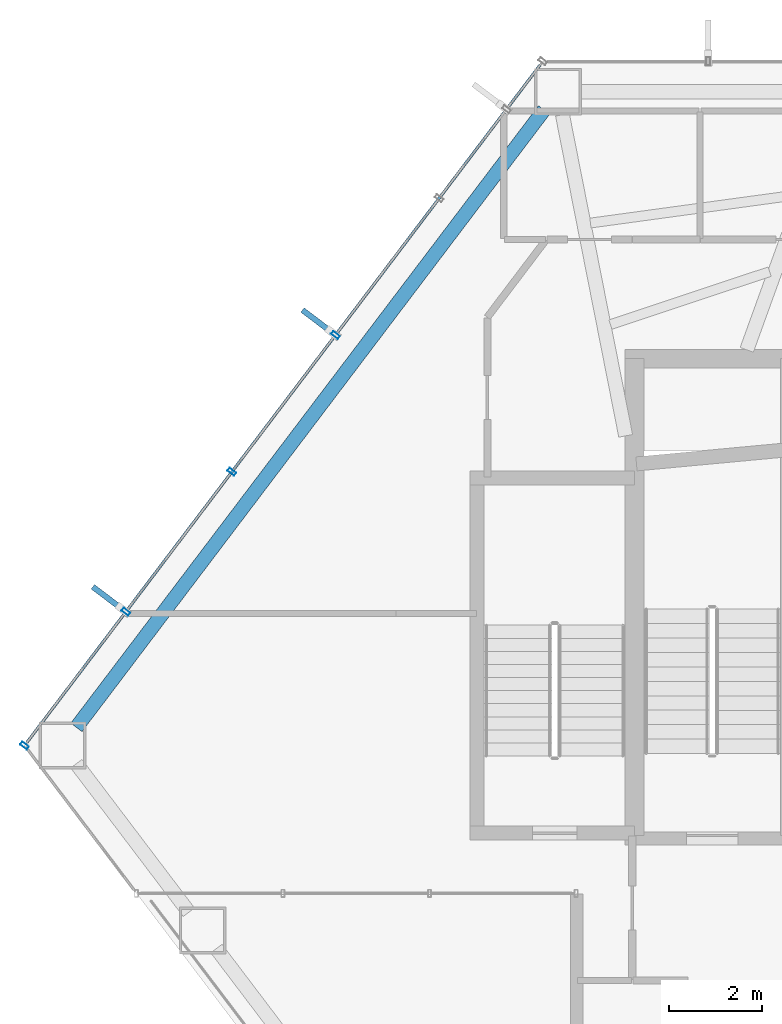
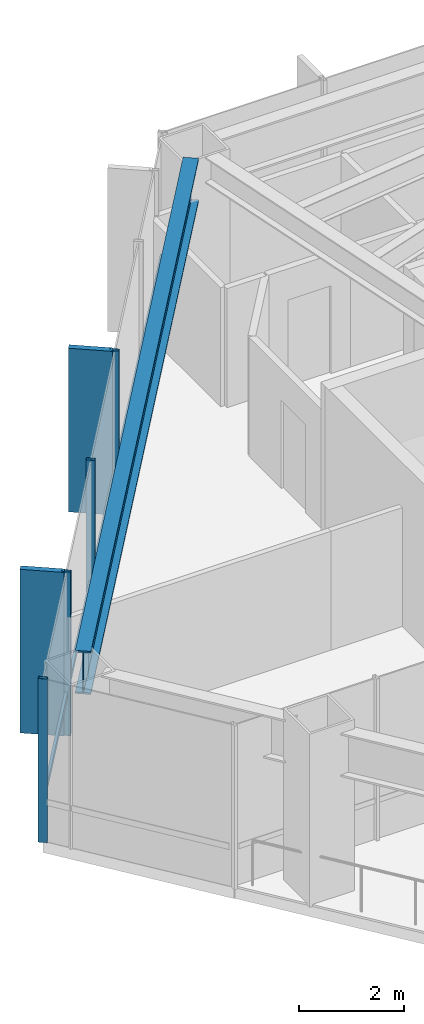
# One storey, part 8 of 24: 7 members, 1 beam, 1 element without a shape of its own.
"""IFC4 building model written with IfcOpenShell, lengths in metres."""

from ifc_helpers import new_model, si_unit, direction, frame, origin, origin_2d, place, context, subcontext, project, spatial, rectangle, hollow_rectangle, i_section, extrude, material, layer, layer_set, material_profile, profile_set, type_object, element, aggregate, save


model = new_model("IFC4")

# Units and contexts
model_context = context("Model", 3, precision=1e-05, world=origin(), true_north=direction((0.0, 1.0)))
body_context = subcontext(model_context, "Body", "Model", "MODEL_VIEW")
ifc_project = project(units=[si_unit("LENGTHUNIT", "METRE"), si_unit("AREAUNIT", "SQUARE_METRE"), si_unit("VOLUMEUNIT", "CUBIC_METRE"), si_unit("PLANEANGLEUNIT", "RADIAN"), si_unit("MASSUNIT", "GRAM", prefix="KILO")], contexts=[model_context])

# Site, building, storey
site_placement = place(None, origin())
site = spatial("IfcSite", under=ifc_project, at=site_placement, CompositionType="ELEMENT")
building_placement = place(site_placement, origin())
building = spatial("IfcBuilding", under=site, at=building_placement, Name="Zarrinselat Tower", CompositionType="ELEMENT")
storey_placement = place(building_placement, frame((0.0, 0.0, 64.260009765625)))
storey = spatial("IfcBuildingStorey", under=building, at=storey_placement, Name="L15", CompositionType="ELEMENT", Elevation=64.260009765625)

# Beam
ifc_material_1 = material(Name="Steel S460M", Category="steel")
ifc_material_profile_1 = material_profile(ifc_material_1, i_section(OverallWidth=0.302001953125, OverallDepth=1.008056640625, WebThickness=0.02099609375, FlangeThickness=0.0400390625, at=origin_2d()), Name="HEM 1000")
ifc_profile_set_1 = profile_set([ifc_material_profile_1], Name="Steel S460M")
beam_type = type_object("IfcBeamType", Name="BM-HEM1000", PredefinedType="BEAM", material=ifc_profile_set_1)
beam_placement = place(storey_placement, frame((16.65869140625, 35.56396484375, 3.31591796875), z_axis=(0.603852014642, 0.797096446118, 0.0), x_axis=(-0.797096446118, 0.603852014642, 0.0)))
element("IfcBeam", 1, at=beam_placement, inside=storey, type_object=beam_type, Name="L15 Perimeter Spandrel Girder SP05", PredefinedType="BEAM", context=body_context, shape_type="SweptSolid", body=[
    extrude(i_section(OverallWidth=0.302001953125, OverallDepth=1.008056640625, WebThickness=0.02099609375, FlangeThickness=0.0400390625, at=origin_2d()), origin(), (0.0, 0.0, 1.0), 16.570556640625),
])

# Curtain wall, members
ifc_material_2 = material(Name="Extruded Aluminium Alloy EN AW-6063 T6", Category="aluminium")
ifc_layer = layer(ifc_material_2, 0.18505859375)
ifc_layer_set = layer_set([ifc_layer], Name="Extruded Aluminium Alloy EN AW-6063 T6")
curtain_wall_type = type_object("IfcCurtainWallType", Name="CWS-OFF", PredefinedType="NOTDEFINED", material=ifc_layer_set)
curtain_wall_placement = place(storey_placement, origin())
curtain_wall = element("IfcCurtainWall", 2, at=curtain_wall_placement, inside=storey, type_object=curtain_wall_type, Name="L15 Unitised Curtain Wall CW-L15-E01", PredefinedType="NOTDEFINED")
ifc_material_3 = material(Name="Extruded Aluminium Alloy EN AW-6063 T6", Category="aluminium")
ifc_material_profile_2 = material_profile(ifc_material_3, hollow_rectangle(XDim=0.080078125, YDim=0.179931640625, WallThickness=0.0048828125, at=origin_2d()), Name="RHS 180x80x5")
ifc_profile_set_2 = profile_set([ifc_material_profile_2], Name="Extruded Aluminium Alloy EN AW-6063 T6")
member_type_1 = type_object("IfcMemberType", Name="MEM-CW-MUL", PredefinedType="MULLION", material=ifc_profile_set_2)
member_1_placement = place(storey_placement, frame((15.548583984375, 35.1748046875, 0.0), z_axis=(0.0, 0.0, 1.0), x_axis=(0.603856639456, 0.797092942501, 0.0)))
member_1 = element("IfcMember", 3, at=member_1_placement, type_object=member_type_1, Name="CW-L15-E01 Mullion 0", PredefinedType="MULLION", context=body_context, shape_type="SweptSolid", body=[
    extrude(hollow_rectangle(XDim=0.080078125, YDim=0.179931640625, WallThickness=0.0048828125, at=origin_2d()), origin(), (0.0, 0.0, 1.0), 3.820068359375),
])
member_2_placement = place(storey_placement, frame((17.71630859375, 38.0361328125, 0.0), z_axis=(0.0, 0.0, 1.0), x_axis=(0.603856639456, 0.797092942501, 0.0)))
member_2 = element("IfcMember", 4, at=member_2_placement, type_object=member_type_1, Name="CW-L15-E01 Mullion 1", PredefinedType="MULLION", context=body_context, shape_type="SweptSolid", body=[
    extrude(hollow_rectangle(XDim=0.080078125, YDim=0.179931640625, WallThickness=0.0048828125, at=origin_2d()), origin(), (0.0, 0.0, 1.0), 3.820068359375),
])
member_3_placement = place(storey_placement, frame((19.98388671875, 41.029296875, 0.0), z_axis=(0.0, 0.0, 1.0), x_axis=(0.603856639456, 0.797092942501, 0.0)))
member_3 = element("IfcMember", 5, at=member_3_placement, type_object=member_type_1, Name="CW-L15-E01 Mullion 2", PredefinedType="MULLION", context=body_context, shape_type="SweptSolid", body=[
    extrude(hollow_rectangle(XDim=0.080078125, YDim=0.179931640625, WallThickness=0.0048828125, at=origin_2d()), origin(), (0.0, 0.0, 1.0), 3.820068359375),
])
member_4_placement = place(storey_placement, frame((22.201416015625, 43.95654296875, 0.0), z_axis=(0.0, 0.0, 1.0), x_axis=(0.603856639456, 0.797092942501, 0.0)))
member_4 = element("IfcMember", 6, at=member_4_placement, type_object=member_type_1, Name="CW-L15-E01 Mullion 3", PredefinedType="MULLION", context=body_context, shape_type="SweptSolid", body=[
    extrude(hollow_rectangle(XDim=0.080078125, YDim=0.179931640625, WallThickness=0.0048828125, at=origin_2d()), origin(), (0.0, 0.0, 1.0), 3.820068359375),
])
ifc_material_4 = material(Name="Extruded Aluminium Alloy EN AW-6063 T6", Category="aluminium")
ifc_material_profile_3 = material_profile(ifc_material_4, hollow_rectangle(XDim=0.06005859375, YDim=0.139892578125, WallThickness=0.00390625, at=origin_2d()), Name="RHS 140x60x4")
ifc_profile_set_3 = profile_set([ifc_material_profile_3], Name="Extruded Aluminium Alloy EN AW-6063 T6")
member_type_2 = type_object("IfcMemberType", Name="MEM-CW-TRN", PredefinedType="USERDEFINED", material=ifc_profile_set_3)
member_5_placement = place(storey_placement, frame((15.602783203125, 35.24658203125, 0.949951171875), z_axis=(0.603857946516, 0.797091952305, 0.0), x_axis=(-0.797091952305, 0.603857946516, 0.0)))
member_5 = element("IfcMember", 7, at=member_5_placement, type_object=member_type_2, Name="CW-L15-E01 Transom 1", ObjectType="TRANSOM", PredefinedType="USERDEFINED", context=body_context, shape_type="SweptSolid", body=[
    extrude(hollow_rectangle(XDim=0.06005859375, YDim=0.139892578125, WallThickness=0.00390625, at=origin_2d()), origin(), (0.0, 0.0, 1.0), 18.18212890625),
])
ifc_material_5 = material(Name="Honed Cream Travertine Stone", Category="masonry")
ifc_material_profile_4 = material_profile(ifc_material_5, rectangle(XDim=0.1201171875, YDim=0.85009765625, at=origin_2d()), Name="FIN 850x120")
ifc_profile_set_4 = profile_set([ifc_material_profile_4], Name="Honed Cream Travertine Stone")
member_type_3 = type_object("IfcMemberType", Name="MEM-STONE-FIN", PredefinedType="USERDEFINED", material=ifc_profile_set_4)
member_6_placement = place(storey_placement, frame((17.349609375, 38.31396484375, 0.0), z_axis=(0.0, 0.0, 1.0), x_axis=(0.603856639456, 0.797092942501, 0.0)))
member_6 = element("IfcMember", 8, at=member_6_placement, type_object=member_type_3, Name="L15 Stone Shading Fin CW-L15-E01-01", ObjectType="FIN", PredefinedType="USERDEFINED", context=body_context, shape_type="SweptSolid", body=[
    extrude(rectangle(XDim=0.1201171875, YDim=0.85009765625, at=origin_2d()), origin(), (0.0, 0.0, 1.0), 3.820068359375),
])
member_7_placement = place(storey_placement, frame((21.834716796875, 44.234375, 0.0), z_axis=(0.0, 0.0, 1.0), x_axis=(0.603856639456, 0.797092942501, 0.0)))
member_7 = element("IfcMember", 9, at=member_7_placement, type_object=member_type_3, Name="L15 Stone Shading Fin CW-L15-E01-03", ObjectType="FIN", PredefinedType="USERDEFINED", context=body_context, shape_type="SweptSolid", body=[
    extrude(rectangle(XDim=0.1201171875, YDim=0.85009765625, at=origin_2d()), origin(), (0.0, 0.0, 1.0), 3.820068359375),
])
aggregate(curtain_wall, [member_1, member_2, member_6, member_3, member_4, member_7, member_5])

save(model, "model.ifc")
